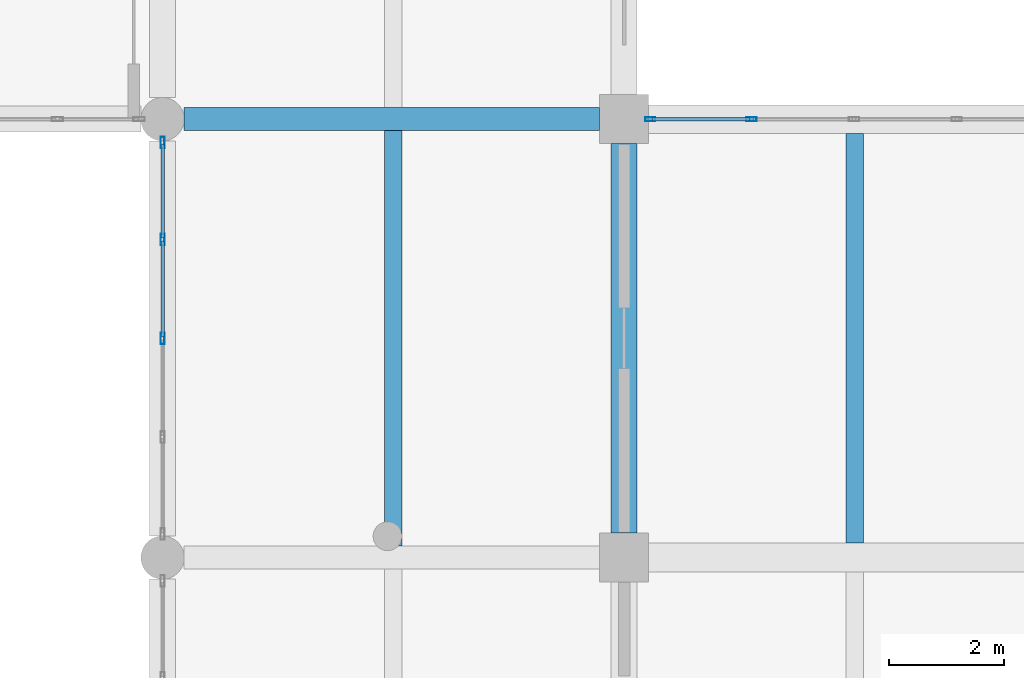
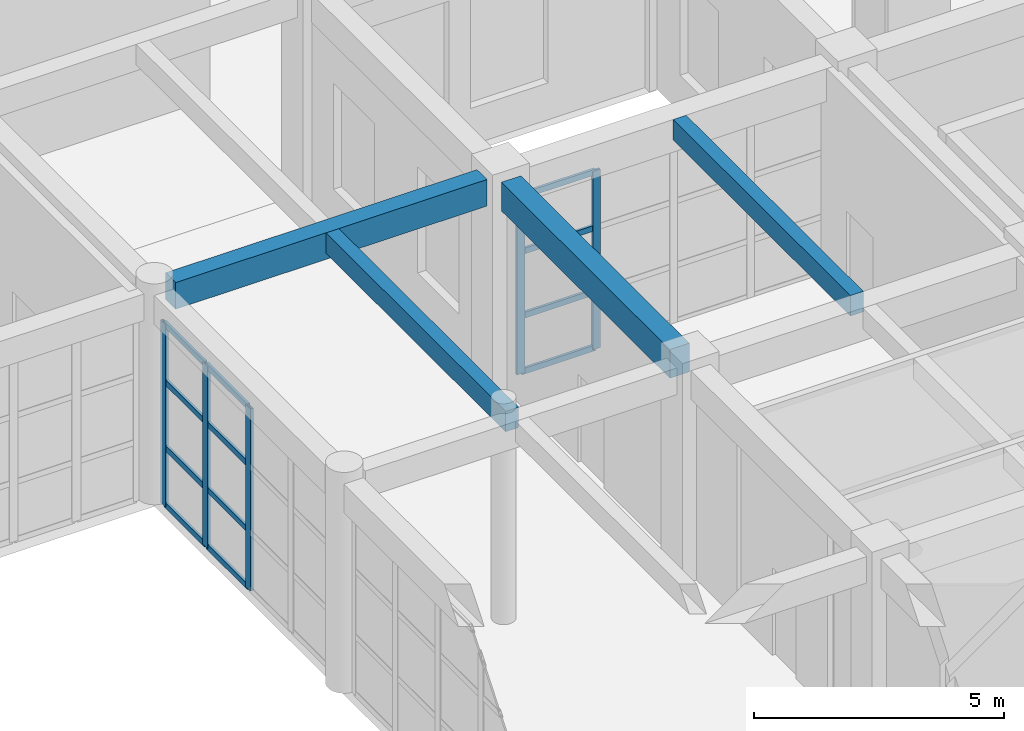
# One storey, part 42 of 95: 17 members, 4 beams, 2 elements without a shape of their own.
"""IFC4 building model written with IfcOpenShell, lengths in metres."""

from ifc_helpers import new_model, si_unit, direction, frame, origin, origin_2d, place, context, subcontext, project, spatial, rectangle, hollow_rectangle, extrude, material, material_profile, profile_set, type_object, element, aggregate, save


model = new_model("IFC4")

# Units and contexts
model_context = context("Model", 3, precision=1e-05, world=origin(), true_north=direction((0.0, 1.0)))
body_context = subcontext(model_context, "Body", "Model", "MODEL_VIEW")
ifc_project = project(units=[si_unit("LENGTHUNIT", "METRE"), si_unit("AREAUNIT", "SQUARE_METRE"), si_unit("VOLUMEUNIT", "CUBIC_METRE"), si_unit("PLANEANGLEUNIT", "RADIAN"), si_unit("MASSUNIT", "GRAM", prefix="KILO")], contexts=[model_context])

# Site, building, storey
site_placement = place(None, origin())
site = spatial("IfcSite", under=ifc_project, at=site_placement, CompositionType="ELEMENT")
building_placement = place(site_placement, origin())
building = spatial("IfcBuilding", under=site, at=building_placement, Name="Zantavel Square City Hall", CompositionType="ELEMENT")
storey_placement = place(building_placement, origin())
storey = spatial("IfcBuildingStorey", under=building, at=storey_placement, Name="L01", CompositionType="ELEMENT", Elevation=0.0)

# Curtain wall, members
ifc_material_1 = material(Name="Anodised aluminium 6063-T6", Category="aluminium")
curtain_wall_type_1 = type_object("IfcCurtainWallType", Name="Curtain Wall CRT 6850x4460", PredefinedType="USERDEFINED", material=ifc_material_1)
curtain_wall_1_placement = place(storey_placement, origin())
curtain_wall_1 = element("IfcCurtainWall", 1, at=curtain_wall_1_placement, inside=storey, type_object=curtain_wall_type_1, Name="L01 Glazed Curtain Wall CW-L01-017", ObjectType="GLAZED CURTAIN WALL", PredefinedType="USERDEFINED")
ifc_material_profile_1 = material_profile(ifc_material_1, hollow_rectangle(XDim=0.070068359375, YDim=0.199951171875, WallThickness=0.00439453125, at=origin_2d()), Name="ALU 70x200x4.5")
ifc_profile_set_1 = profile_set([ifc_material_profile_1], Name="Anodised aluminium 6063-T6")
member_type_1 = type_object("IfcMemberType", Name="CW Heavy Hall Mullion ALU 70x200x4.5", PredefinedType="MULLION", material=ifc_profile_set_1)
member_1_placement = place(storey_placement, frame((48.0, 64.60009765625, 0.0), z_axis=(0.0, 0.0, 1.0), x_axis=(-1.0, 0.0, 0.0)))
member_1 = element("IfcMember", 2, at=member_1_placement, type_object=member_type_1, Name="CW-017 mullion 3", PredefinedType="MULLION", context=body_context, shape_type="SweptSolid", body=[
    extrude(hollow_rectangle(XDim=0.070068359375, YDim=0.199951171875, WallThickness=0.00439453125, at=origin_2d()), origin(), (0.0, 0.0, 1.0), 4.4599609375),
])
member_2_placement = place(storey_placement, frame((48.0, 66.3125, 0.0), z_axis=(0.0, 0.0, 1.0), x_axis=(-1.0, 0.0, 0.0)))
member_2 = element("IfcMember", 3, at=member_2_placement, type_object=member_type_1, Name="CW-017 mullion 4", PredefinedType="MULLION", context=body_context, shape_type="SweptSolid", body=[
    extrude(hollow_rectangle(XDim=0.070068359375, YDim=0.199951171875, WallThickness=0.00439453125, at=origin_2d()), origin(), (0.0, 0.0, 1.0), 4.4599609375),
])
member_3_placement = place(storey_placement, frame((48.0, 67.9951171875, 0.0), z_axis=(0.0, 0.0, 1.0), x_axis=(-1.0, 0.0, 0.0)))
member_3 = element("IfcMember", 4, at=member_3_placement, type_object=member_type_1, Name="CW-017 mullion 5", PredefinedType="MULLION", context=body_context, shape_type="SweptSolid", body=[
    extrude(hollow_rectangle(XDim=0.070068359375, YDim=0.199951171875, WallThickness=0.00439453125, at=origin_2d()), origin(), (0.0, 0.0, 1.0), 4.4599609375),
])

curtain_wall_type_2 = type_object("IfcCurtainWallType", Name="Curtain Wall TRV1 7125x4360", PredefinedType="USERDEFINED", material=ifc_material_1)
curtain_wall_2_placement = place(storey_placement, origin())
curtain_wall_2 = element("IfcCurtainWall", 5, at=curtain_wall_2_placement, inside=storey, type_object=curtain_wall_type_2, Name="L01 Glazed Curtain Wall CW-L01-004", ObjectType="GLAZED CURTAIN WALL", PredefinedType="USERDEFINED")
ifc_material_profile_2 = material_profile(ifc_material_1, hollow_rectangle(XDim=0.06494140625, YDim=0.179931640625, WallThickness=0.00390625, at=origin_2d()), Name="ALU 65x180x4")
ifc_profile_set_2 = profile_set([ifc_material_profile_2], Name="Anodised aluminium 6063-T6")
member_type_2 = type_object("IfcMemberType", Name="CW Mullion ALU 65x180x4", PredefinedType="MULLION", material=ifc_profile_set_2)
member_4_placement = place(storey_placement, frame((56.455078125, 68.39990234375, 0.0), z_axis=(0.0, 0.0, 1.0), x_axis=(0.0, 1.0, 0.0)))
member_4 = element("IfcMember", 6, at=member_4_placement, type_object=member_type_2, Name="CW-004 mullion 1", PredefinedType="MULLION", context=body_context, shape_type="SweptSolid", body=[
    extrude(hollow_rectangle(XDim=0.06494140625, YDim=0.179931640625, WallThickness=0.00390625, at=origin_2d()), origin(), (0.0, 0.0, 1.0), 4.360107421875),
])
member_5_placement = place(storey_placement, frame((58.206298828125, 68.39990234375, 0.0), z_axis=(0.0, 0.0, 1.0), x_axis=(0.0, 1.0, 0.0)))
member_5 = element("IfcMember", 7, at=member_5_placement, type_object=member_type_2, Name="CW-004 mullion 2", PredefinedType="MULLION", context=body_context, shape_type="SweptSolid", body=[
    extrude(hollow_rectangle(XDim=0.06494140625, YDim=0.179931640625, WallThickness=0.00390625, at=origin_2d()), origin(), (0.0, 0.0, 1.0), 4.360107421875),
])
ifc_material_profile_3 = material_profile(ifc_material_1, hollow_rectangle(XDim=0.06005859375, YDim=0.139892578125, WallThickness=0.00390625, at=origin_2d()), Name="ALU 60x140x4")
ifc_profile_set_3 = profile_set([ifc_material_profile_3], Name="Anodised aluminium 6063-T6")
member_type_3 = type_object("IfcMemberType", Name="CW Transom ALU 60x140x4", PredefinedType="USERDEFINED", material=ifc_profile_set_3)
member_6_placement = place(storey_placement, frame((56.485107421875, 68.39990234375, 0.030029296875), z_axis=(1.0, 0.0, 0.0), x_axis=(0.0, 1.0, 0.0)))
member_6 = element("IfcMember", 8, at=member_6_placement, type_object=member_type_3, Name="CW-004 transom 1.1", ObjectType="TRANSOM", PredefinedType="USERDEFINED", context=body_context, shape_type="SweptSolid", body=[
    extrude(hollow_rectangle(XDim=0.06005859375, YDim=0.139892578125, WallThickness=0.00390625, at=origin_2d()), origin(), (0.0, 0.0, 1.0), 1.691162109375),
])
member_7_placement = place(storey_placement, frame((56.485107421875, 68.39990234375, 1.39501953125), z_axis=(1.0, 0.0, 0.0), x_axis=(0.0, 1.0, 0.0)))
member_7 = element("IfcMember", 9, at=member_7_placement, type_object=member_type_3, Name="CW-004 transom 1.2", ObjectType="TRANSOM", PredefinedType="USERDEFINED", context=body_context, shape_type="SweptSolid", body=[
    extrude(hollow_rectangle(XDim=0.06005859375, YDim=0.139892578125, WallThickness=0.00390625, at=origin_2d()), origin(), (0.0, 0.0, 1.0), 1.691162109375),
])
member_8_placement = place(storey_placement, frame((56.485107421875, 68.39990234375, 2.965087890625), z_axis=(1.0, 0.0, 0.0), x_axis=(0.0, 1.0, 0.0)))
member_8 = element("IfcMember", 10, at=member_8_placement, type_object=member_type_3, Name="CW-004 transom 1.3", ObjectType="TRANSOM", PredefinedType="USERDEFINED", context=body_context, shape_type="SweptSolid", body=[
    extrude(hollow_rectangle(XDim=0.06005859375, YDim=0.139892578125, WallThickness=0.00390625, at=origin_2d()), origin(), (0.0, 0.0, 1.0), 1.691162109375),
])
member_9_placement = place(storey_placement, frame((56.485107421875, 68.39990234375, 4.330078125), z_axis=(1.0, 0.0, 0.0), x_axis=(0.0, 1.0, 0.0)))
member_9 = element("IfcMember", 11, at=member_9_placement, type_object=member_type_3, Name="CW-004 transom 1.4", ObjectType="TRANSOM", PredefinedType="USERDEFINED", context=body_context, shape_type="SweptSolid", body=[
    extrude(hollow_rectangle(XDim=0.06005859375, YDim=0.139892578125, WallThickness=0.00390625, at=origin_2d()), origin(), (0.0, 0.0, 1.0), 1.691162109375),
])
aggregate(curtain_wall_2, [member_4, member_5, member_6, member_7, member_8, member_9])

# Member
member_10_placement = place(storey_placement, frame((48.0, 64.6298828125, 0.030029296875), z_axis=(0.0, 1.0, 0.0), x_axis=(-1.0, 0.0, 0.0)))
member_10 = element("IfcMember", 12, at=member_10_placement, type_object=member_type_3, Name="CW-017 transom 3.1", ObjectType="TRANSOM", PredefinedType="USERDEFINED", context=body_context, shape_type="SweptSolid", body=[
    extrude(hollow_rectangle(XDim=0.06005859375, YDim=0.139892578125, WallThickness=0.00390625, at=origin_2d()), origin(), (0.0, 0.0, 1.0), 1.652587890625),
])

member_11_placement = place(storey_placement, frame((48.0, 64.6298828125, 1.427001953125), z_axis=(0.0, 1.0, 0.0), x_axis=(-1.0, 0.0, 0.0)))
member_11 = element("IfcMember", 13, at=member_11_placement, type_object=member_type_3, Name="CW-017 transom 3.2", ObjectType="TRANSOM", PredefinedType="USERDEFINED", context=body_context, shape_type="SweptSolid", body=[
    extrude(hollow_rectangle(XDim=0.06005859375, YDim=0.139892578125, WallThickness=0.00390625, at=origin_2d()), origin(), (0.0, 0.0, 1.0), 1.652587890625),
])

member_12_placement = place(storey_placement, frame((48.0, 64.6298828125, 3.032958984375), z_axis=(0.0, 1.0, 0.0), x_axis=(-1.0, 0.0, 0.0)))
member_12 = element("IfcMember", 14, at=member_12_placement, type_object=member_type_3, Name="CW-017 transom 3.3", ObjectType="TRANSOM", PredefinedType="USERDEFINED", context=body_context, shape_type="SweptSolid", body=[
    extrude(hollow_rectangle(XDim=0.06005859375, YDim=0.139892578125, WallThickness=0.00390625, at=origin_2d()), origin(), (0.0, 0.0, 1.0), 1.652587890625),
])

member_13_placement = place(storey_placement, frame((48.0, 64.6298828125, 4.429931640625), z_axis=(0.0, 1.0, 0.0), x_axis=(-1.0, 0.0, 0.0)))
member_13 = element("IfcMember", 15, at=member_13_placement, type_object=member_type_3, Name="CW-017 transom 3.4", ObjectType="TRANSOM", PredefinedType="USERDEFINED", context=body_context, shape_type="SweptSolid", body=[
    extrude(hollow_rectangle(XDim=0.06005859375, YDim=0.139892578125, WallThickness=0.00390625, at=origin_2d()), origin(), (0.0, 0.0, 1.0), 1.652587890625),
])

member_14_placement = place(storey_placement, frame((48.0, 66.342529296875, 0.030029296875), z_axis=(0.0, 1.0, 0.0), x_axis=(-1.0, 0.0, 0.0)))
member_14 = element("IfcMember", 16, at=member_14_placement, type_object=member_type_3, Name="CW-017 transom 4.1", ObjectType="TRANSOM", PredefinedType="USERDEFINED", context=body_context, shape_type="SweptSolid", body=[
    extrude(hollow_rectangle(XDim=0.06005859375, YDim=0.139892578125, WallThickness=0.00390625, at=origin_2d()), origin(), (0.0, 0.0, 1.0), 1.62255859375),
])

member_15_placement = place(storey_placement, frame((48.0, 66.342529296875, 1.427001953125), z_axis=(0.0, 1.0, 0.0), x_axis=(-1.0, 0.0, 0.0)))
member_15 = element("IfcMember", 17, at=member_15_placement, type_object=member_type_3, Name="CW-017 transom 4.2", ObjectType="TRANSOM", PredefinedType="USERDEFINED", context=body_context, shape_type="SweptSolid", body=[
    extrude(hollow_rectangle(XDim=0.06005859375, YDim=0.139892578125, WallThickness=0.00390625, at=origin_2d()), origin(), (0.0, 0.0, 1.0), 1.62255859375),
])

member_16_placement = place(storey_placement, frame((48.0, 66.342529296875, 3.032958984375), z_axis=(0.0, 1.0, 0.0), x_axis=(-1.0, 0.0, 0.0)))
member_16 = element("IfcMember", 18, at=member_16_placement, type_object=member_type_3, Name="CW-017 transom 4.3", ObjectType="TRANSOM", PredefinedType="USERDEFINED", context=body_context, shape_type="SweptSolid", body=[
    extrude(hollow_rectangle(XDim=0.06005859375, YDim=0.139892578125, WallThickness=0.00390625, at=origin_2d()), origin(), (0.0, 0.0, 1.0), 1.62255859375),
])

member_17_placement = place(storey_placement, frame((48.0, 66.342529296875, 4.429931640625), z_axis=(0.0, 1.0, 0.0), x_axis=(-1.0, 0.0, 0.0)))
member_17 = element("IfcMember", 19, at=member_17_placement, type_object=member_type_3, Name="CW-017 transom 4.4", ObjectType="TRANSOM", PredefinedType="USERDEFINED", context=body_context, shape_type="SweptSolid", body=[
    extrude(hollow_rectangle(XDim=0.06005859375, YDim=0.139892578125, WallThickness=0.00390625, at=origin_2d()), origin(), (0.0, 0.0, 1.0), 1.62255859375),
])

aggregate(curtain_wall_1, [member_1, member_2, member_3, member_10, member_11, member_12, member_13, member_14, member_15, member_16, member_17])

# Beams
ifc_material_2 = material(Name="Concrete C35/45", Category="concrete")
ifc_material_profile_4 = material_profile(ifc_material_2, rectangle(XDim=0.300048828125, YDim=0.5, at=origin_2d()), Name="RC 300x500")
ifc_profile_set_4 = profile_set([ifc_material_profile_4], Name="Concrete C35/45")
beam_type_1 = type_object("IfcBeamType", Name="Floor Joist RC 300x500 C35/45", PredefinedType="JOIST", material=ifc_profile_set_4)
beam_1_placement = place(storey_placement, frame((52.0, 61.0, 4.909912109375), z_axis=(0.0, 1.0, 0.0), x_axis=(-1.0, 0.0, 0.0)))
element("IfcBeam", 20, at=beam_1_placement, inside=storey, type_object=beam_type_1, Name="L01 Floor Joist JST-L01-0520-0608", PredefinedType="JOIST", context=body_context, shape_type="SweptSolid", body=[
    extrude(rectangle(XDim=0.300048828125, YDim=0.5, at=origin_2d()), origin(), (0.0, 0.0, 1.0), 7.199951171875),
])
beam_2_placement = place(storey_placement, frame((60.0, 61.050048828125, 4.909912109375), z_axis=(0.0, 1.0, 0.0), x_axis=(-1.0, 0.0, 0.0)))
element("IfcBeam", 21, at=beam_2_placement, inside=storey, type_object=beam_type_1, Name="L01 Floor Joist JST-L01-0600-0608", PredefinedType="JOIST", context=body_context, shape_type="SweptSolid", body=[
    extrude(rectangle(XDim=0.300048828125, YDim=0.5, at=origin_2d()), origin(), (0.0, 0.0, 1.0), 7.099853515625),
])
ifc_material_profile_5 = material_profile(ifc_material_2, rectangle(XDim=0.39990234375, YDim=0.64990234375, at=origin_2d()), Name="RC 400x650")
ifc_profile_set_5 = profile_set([ifc_material_profile_5], Name="Concrete C35/45")
beam_type_2 = type_object("IfcBeamType", Name="Frame Beam RC 400x650 C35/45", PredefinedType="BEAM", material=ifc_profile_set_5)
beam_3_placement = place(storey_placement, frame((48.375, 68.39990234375, 4.8349609375), z_axis=(1.0, 0.0, 0.0), x_axis=(0.0, 1.0, 0.0)))
element("IfcBeam", 22, at=beam_3_placement, inside=storey, type_object=beam_type_2, Name="L01 Girder BMX-L01-0480-0684", PredefinedType="BEAM", context=body_context, shape_type="SweptSolid", body=[
    extrude(rectangle(XDim=0.39990234375, YDim=0.64990234375, at=origin_2d()), origin(), (0.0, 0.0, 1.0), 7.199951171875),
])
ifc_material_profile_6 = material_profile(ifc_material_2, rectangle(XDim=0.449951171875, YDim=0.699951171875, at=origin_2d()), Name="RC 450x700")
ifc_profile_set_6 = profile_set([ifc_material_profile_6], Name="Concrete C35/45")
beam_type_3 = type_object("IfcBeamType", Name="Primary Girder RC 450x700 C35/45", PredefinedType="BEAM", material=ifc_profile_set_6)
beam_4_placement = place(storey_placement, frame((56.0, 61.22509765625, 4.81005859375), z_axis=(0.0, 1.0, 0.0), x_axis=(-1.0, 0.0, 0.0)))
element("IfcBeam", 23, at=beam_4_placement, inside=storey, type_object=beam_type_3, Name="L01 Beam BMY-L01-0560-0608", PredefinedType="BEAM", context=body_context, shape_type="SweptSolid", body=[
    extrude(rectangle(XDim=0.449951171875, YDim=0.699951171875, at=origin_2d()), origin(), (0.0, 0.0, 1.0), 6.75),
])

save(model, "model.ifc")
